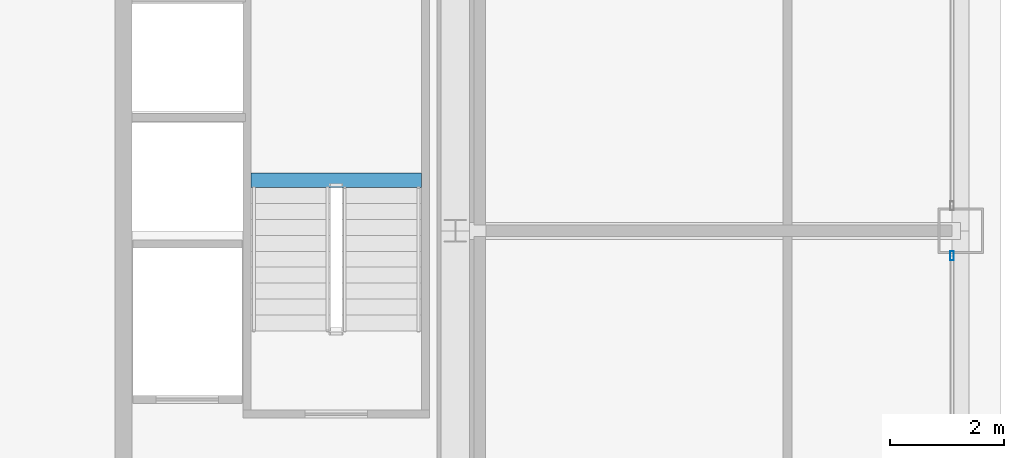
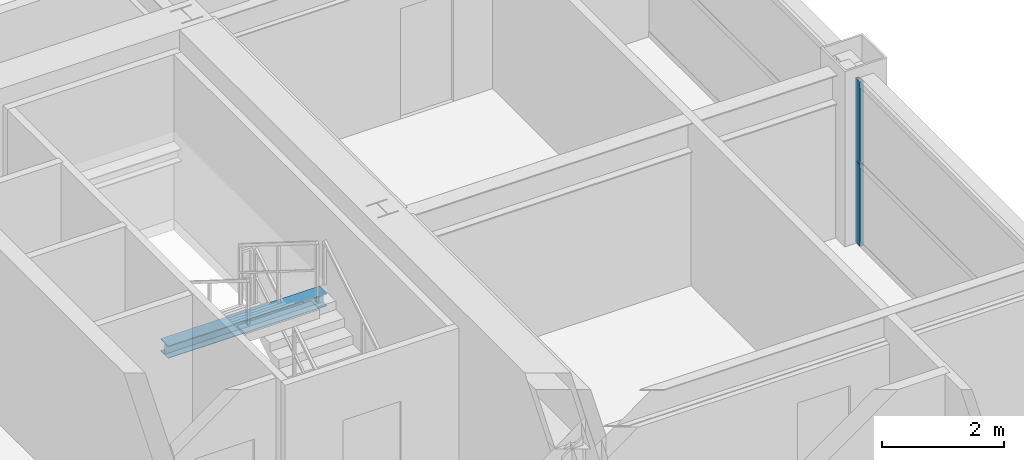
# One storey, part 21 of 42: 2 members, 1 beam, 1 element without a shape of its own.
"""IFC4 building model written with IfcOpenShell, lengths in metres."""

from ifc_helpers import new_model, si_unit, direction, frame, origin, origin_2d, place, context, subcontext, project, spatial, hollow_rectangle, i_section, extrude, source, transform, mapped, material, layer, layer_set, material_profile, profile_set, type_object, element, aggregate, save


model = new_model("IFC4")

# Units and contexts
model_context = context("Model", 3, precision=1e-05, world=origin(), true_north=direction((0.0, 1.0)))
body_context = subcontext(model_context, "Body", "Model", "MODEL_VIEW")
ifc_project = project(units=[si_unit("LENGTHUNIT", "METRE"), si_unit("AREAUNIT", "SQUARE_METRE"), si_unit("VOLUMEUNIT", "CUBIC_METRE"), si_unit("PLANEANGLEUNIT", "RADIAN"), si_unit("MASSUNIT", "GRAM", prefix="KILO"), si_unit("THERMODYNAMICTEMPERATUREUNIT", "KELVIN"), si_unit("POWERUNIT", "WATT")], contexts=[model_context])

# Site, building, storey
site_placement = place(None, origin())
site = spatial("IfcSite", under=ifc_project, at=site_placement, CompositionType="ELEMENT")
building_placement = place(site_placement, origin())
building = spatial("IfcBuilding", under=site, at=building_placement, Name="Yuzanri Waterfront Tower", CompositionType="ELEMENT")
storey_placement = place(building_placement, frame((0.0, 0.0, 205.5)))
storey = spatial("IfcBuildingStorey", under=building, at=storey_placement, Name="L54", CompositionType="ELEMENT", Elevation=205.5)

# Curtain wall, members
ifc_material_1 = material(Name="Anodized Architectural Bronze", Category="metal")
ifc_layer = layer(ifc_material_1, 0.159912109375)
ifc_layer_set = layer_set([ifc_layer], Name="Anodized Architectural Bronze")
curtain_wall_type = type_object("IfcCurtainWallType", Name="Anodized Bronze Mid-Rise Residential Acoustic Unitized Curtain Wall 7200", PredefinedType="NOTDEFINED", material=ifc_layer_set)
curtain_wall_placement = place(storey_placement, origin())
curtain_wall = element("IfcCurtainWall", 1, at=curtain_wall_placement, inside=storey, type_object=curtain_wall_type, Name="L54 Curtain Wall CW-L54-EL", PredefinedType="NOTDEFINED")
ifc_material_2 = material(Name="Anodized Architectural Bronze", Category="metal")
ifc_material_profile_1 = material_profile(ifc_material_2, hollow_rectangle(XDim=0.06494140625, YDim=0.159912109375, WallThickness=0.00341796875, at=origin_2d()), Name="CWM 65x160")
ifc_profile_set_1 = profile_set([ifc_material_profile_1], Name="Anodized Architectural Bronze")
member_type = type_object("IfcMemberType", Name="Anodized Bronze Upper-Zone Curtain-Wall Mullion 65x160", PredefinedType="MULLION", material=ifc_profile_set_1)
shared_shape_1 = source(origin(), body_context, "Body", "SweptSolid", [
    extrude(hollow_rectangle(XDim=0.06494140625, YDim=0.159912109375, WallThickness=0.00341796875, at=origin_2d()), origin(), (0.0, 0.0, 1.0), 1.637939453125),
])
member_1_placement = place(storey_placement, frame((58.949951171875, 25.360107421875, 0.0), z_axis=(0.0, 0.0, 1.0), x_axis=(1.0, 0.0, 0.0)))
member_1 = element("IfcMember", 2, at=member_1_placement, type_object=member_type, Name="CW-L54-EL Lower Mullion 02", PredefinedType="MULLION", context=body_context, shape_type="MappedRepresentation", body=[
    mapped(shared_shape_1, transform((0.0, 0.0, 0.0), scale=1.0)),
])
member_2_placement = place(storey_placement, frame((58.949951171875, 25.360107421875, 1.64208984375), z_axis=(0.0, 0.0, 1.0), x_axis=(1.0, 0.0, 0.0)))
member_2 = element("IfcMember", 3, at=member_2_placement, type_object=member_type, Name="CW-L54-EL Upper Mullion 02", PredefinedType="MULLION", context=body_context, shape_type="MappedRepresentation", body=[
    mapped(shared_shape_1, transform((0.0, 0.0, 0.0), scale=1.0)),
])
aggregate(curtain_wall, [member_1, member_2])

# Beam
ifc_material_3 = material(Name="Steel Q355B", Category="steel")
ifc_material_profile_2 = material_profile(ifc_material_3, i_section(OverallWidth=0.25, OverallDepth=0.25, WebThickness=0.009033203125, FlangeThickness=0.013916015625, at=origin_2d()), Name="HW 250x250x9x14")
ifc_profile_set_2 = profile_set([ifc_material_profile_2], Name="Steel Q355B")
beam_type = type_object("IfcBeamType", Name="Stair Landing Support Beam Q355B HW 250x250", PredefinedType="BEAM", material=ifc_profile_set_2)
shared_shape_2 = source(origin(), body_context, "Body", "SweptSolid", [
    extrude(i_section(OverallWidth=0.25, OverallDepth=0.25, WebThickness=0.009033203125, FlangeThickness=0.013916015625, at=origin_2d()), origin(), (0.0, 0.0, 1.0), 3.0),
])
beam_placement = place(storey_placement, frame((46.60009765625, 26.68994140625, 1.425048828125), z_axis=(1.0, 0.0, 0.0), x_axis=(0.0, 1.0, 0.0)))
element("IfcBeam", 4, at=beam_placement, inside=storey, type_object=beam_type, Name="L54 Stair Landing Support Beam ST-02-L54-L1-1", PredefinedType="BEAM", context=body_context, shape_type="MappedRepresentation", body=[
    mapped(shared_shape_2, transform((0.0, 0.0, 0.0), scale=1.0)),
])

save(model, "model.ifc")
